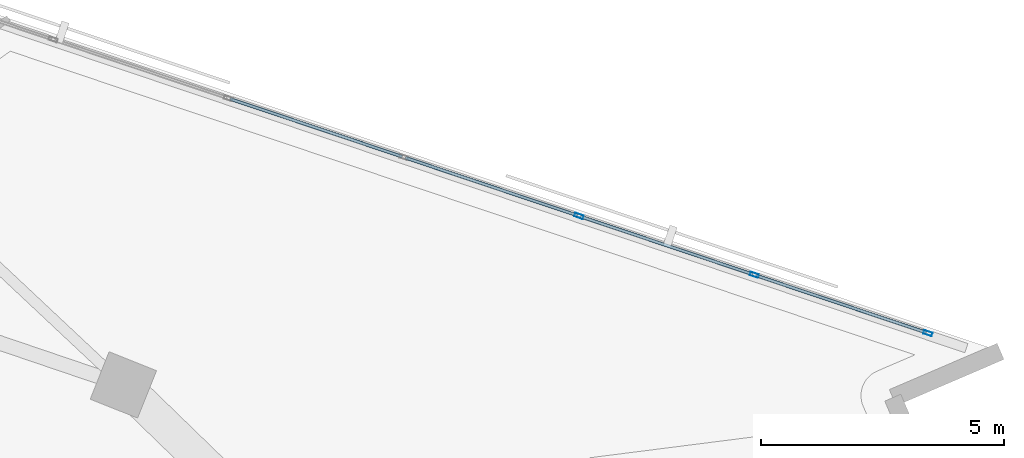
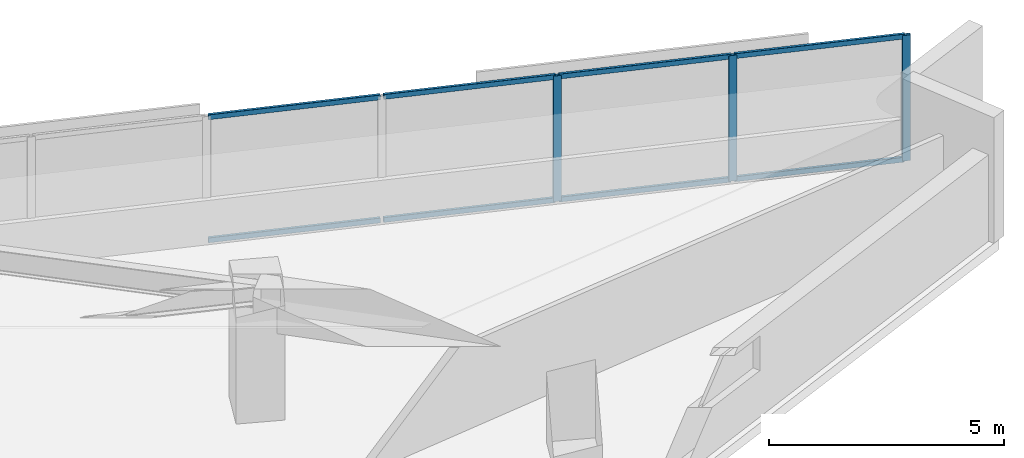
# One storey, part 5 of 14: 11 members, 1 element without a shape of its own.
"""IFC4 building model written with IfcOpenShell, lengths in metres."""

from ifc_helpers import new_model, si_unit, direction, frame, origin, origin_2d, place, context, subcontext, project, spatial, hollow_rectangle, extrude, material, material_profile, profile_set, type_object, element, aggregate, save


model = new_model("IFC4")

# Units and contexts
model_context = context("Model", 3, precision=1e-05, world=origin(), true_north=direction((0.0, 1.0)))
body_context = subcontext(model_context, "Body", "Model", "MODEL_VIEW")
ifc_project = project(units=[si_unit("LENGTHUNIT", "METRE"), si_unit("AREAUNIT", "SQUARE_METRE"), si_unit("VOLUMEUNIT", "CUBIC_METRE"), si_unit("PLANEANGLEUNIT", "RADIAN"), si_unit("MASSUNIT", "GRAM", prefix="KILO")], contexts=[model_context])

# Site, building, storey
site_placement = place(None, origin())
site = spatial("IfcSite", under=ifc_project, at=site_placement, CompositionType="ELEMENT")
building_placement = place(site_placement, origin())
building = spatial("IfcBuilding", under=site, at=building_placement, Name="Narakoshi Arena Tower", CompositionType="ELEMENT")
storey_placement = place(building_placement, frame((0.0, 0.0, 189.659912109375)))
storey = spatial("IfcBuildingStorey", under=building, at=storey_placement, Name="L51", CompositionType="ELEMENT", Elevation=189.659912109375)

# Curtain wall, members
ifc_material = material(Name="Anodised bronze aluminium 6063-T6", Category="aluminium")
curtain_wall_type = type_object("IfcCurtainWallType", Name="CW-HYP-MID", PredefinedType="NOTDEFINED", material=ifc_material)
curtain_wall_placement = place(storey_placement, origin())
curtain_wall = element("IfcCurtainWall", 1, at=curtain_wall_placement, inside=storey, type_object=curtain_wall_type, Name="L51 Folded Hypotenuse Curtain Wall 1-1", PredefinedType="NOTDEFINED")
ifc_material_profile_1 = material_profile(ifc_material, hollow_rectangle(XDim=0.074951171875, YDim=0.179931640625, WallThickness=0.00390625, OuterFilletRadius=0.0048828125, at=origin_2d()), Name="MUL180x75x4")
ifc_profile_set_1 = profile_set([ifc_material_profile_1], Name="Anodised bronze aluminium 6063-T6")
member_type_1 = type_object("IfcMemberType", Name="MEM-MUL-180", PredefinedType="MULLION", material=ifc_profile_set_1)
member_1_placement = place(storey_placement, frame((116.57080078125, 52.6513671875, 0.0), z_axis=(0.0, 0.0, 1.0), x_axis=(-0.318260960253, -0.948003144077, 0.0)))
member_1 = element("IfcMember", 2, at=member_1_placement, type_object=member_type_1, Name="CW-02 mullion 1", PredefinedType="MULLION", context=body_context, shape_type="SweptSolid", body=[
    extrude(hollow_rectangle(XDim=0.074951171875, YDim=0.179931640625, WallThickness=0.00390625, OuterFilletRadius=0.0048828125, at=origin_2d()), origin(), (0.0, 0.0, 1.0), 3.260009765625),
])
member_2_placement = place(storey_placement, frame((112.998779296875, 53.8505859375, 0.0), z_axis=(0.0, 0.0, 1.0), x_axis=(-0.318260960253, -0.948003144077, 0.0)))
member_2 = element("IfcMember", 3, at=member_2_placement, type_object=member_type_1, Name="CW-02 mullion 2", PredefinedType="MULLION", context=body_context, shape_type="SweptSolid", body=[
    extrude(hollow_rectangle(XDim=0.074951171875, YDim=0.179931640625, WallThickness=0.00390625, OuterFilletRadius=0.0048828125, at=origin_2d()), origin(), (0.0, 0.0, 1.0), 3.260009765625),
])
member_3_placement = place(storey_placement, frame((109.39111328125, 55.061767578125, 0.0), z_axis=(0.0, 0.0, 1.0), x_axis=(-0.318260960253, -0.948003144077, 0.0)))
member_3 = element("IfcMember", 4, at=member_3_placement, type_object=member_type_1, Name="CW-02 mullion 3", PredefinedType="MULLION", context=body_context, shape_type="SweptSolid", body=[
    extrude(hollow_rectangle(XDim=0.074951171875, YDim=0.179931640625, WallThickness=0.00390625, OuterFilletRadius=0.0048828125, at=origin_2d()), origin(), (0.0, 0.0, 1.0), 3.260009765625),
])
ifc_material_profile_2 = material_profile(ifc_material, hollow_rectangle(XDim=0.06494140625, YDim=0.1298828125, WallThickness=0.00390625, OuterFilletRadius=0.0048828125, at=origin_2d()), Name="TRN130x65x4")
ifc_profile_set_2 = profile_set([ifc_material_profile_2], Name="Anodised bronze aluminium 6063-T6")
member_type_2 = type_object("IfcMemberType", Name="MEM-TRN-130", PredefinedType="USERDEFINED", material=ifc_profile_set_2)
member_4_placement = place(storey_placement, frame((116.53515625, 52.663330078125, 0.032470703125), z_axis=(-0.948006826737, 0.31824999051, 0.0), x_axis=(-0.31824999051, -0.948006826737, 0.0)))
member_4 = element("IfcMember", 5, at=member_4_placement, type_object=member_type_2, Name="CW-02 transom 1.1", ObjectType="TRANSOM", PredefinedType="USERDEFINED", context=body_context, shape_type="SweptSolid", body=[
    extrude(hollow_rectangle(XDim=0.06494140625, YDim=0.1298828125, WallThickness=0.00390625, OuterFilletRadius=0.0048828125, at=origin_2d()), origin(), (0.0, 0.0, 1.0), 3.69287109375),
])
member_5_placement = place(storey_placement, frame((116.53515625, 52.663330078125, 3.2275390625), z_axis=(-0.948006826737, 0.31824999051, 0.0), x_axis=(-0.31824999051, -0.948006826737, 0.0)))
member_5 = element("IfcMember", 6, at=member_5_placement, type_object=member_type_2, Name="CW-02 transom 1.2", ObjectType="TRANSOM", PredefinedType="USERDEFINED", context=body_context, shape_type="SweptSolid", body=[
    extrude(hollow_rectangle(XDim=0.06494140625, YDim=0.1298828125, WallThickness=0.00390625, OuterFilletRadius=0.0048828125, at=origin_2d()), origin(), (0.0, 0.0, 1.0), 3.69287109375),
])
member_6_placement = place(storey_placement, frame((112.963134765625, 53.862548828125, 0.032470703125), z_axis=(-0.948000451231, 0.318268981314, 0.0), x_axis=(-0.318268981314, -0.948000451231, 0.0)))
member_6 = element("IfcMember", 7, at=member_6_placement, type_object=member_type_2, Name="CW-02 transom 2.1", ObjectType="TRANSOM", PredefinedType="USERDEFINED", context=body_context, shape_type="SweptSolid", body=[
    extrude(hollow_rectangle(XDim=0.06494140625, YDim=0.1298828125, WallThickness=0.00390625, OuterFilletRadius=0.0048828125, at=origin_2d()), origin(), (0.0, 0.0, 1.0), 3.73046875),
])
member_7_placement = place(storey_placement, frame((112.963134765625, 53.862548828125, 3.2275390625), z_axis=(-0.948000451231, 0.318268981314, 0.0), x_axis=(-0.318268981314, -0.948000451231, 0.0)))
member_7 = element("IfcMember", 8, at=member_7_placement, type_object=member_type_2, Name="CW-02 transom 2.2", ObjectType="TRANSOM", PredefinedType="USERDEFINED", context=body_context, shape_type="SweptSolid", body=[
    extrude(hollow_rectangle(XDim=0.06494140625, YDim=0.1298828125, WallThickness=0.00390625, OuterFilletRadius=0.0048828125, at=origin_2d()), origin(), (0.0, 0.0, 1.0), 3.73046875),
])
member_8_placement = place(storey_placement, frame((109.35546875, 55.073486328125, 0.032470703125), z_axis=(-0.948000451231, 0.318268981314, 0.0), x_axis=(-0.318268981314, -0.948000451231, 0.0)))
member_8 = element("IfcMember", 9, at=member_8_placement, type_object=member_type_2, Name="CW-02 transom 3.1", ObjectType="TRANSOM", PredefinedType="USERDEFINED", context=body_context, shape_type="SweptSolid", body=[
    extrude(hollow_rectangle(XDim=0.06494140625, YDim=0.1298828125, WallThickness=0.00390625, OuterFilletRadius=0.0048828125, at=origin_2d()), origin(), (0.0, 0.0, 1.0), 3.73046875),
])
member_9_placement = place(storey_placement, frame((109.35546875, 55.073486328125, 3.2275390625), z_axis=(-0.948000451231, 0.318268981314, 0.0), x_axis=(-0.318268981314, -0.948000451231, 0.0)))
member_9 = element("IfcMember", 10, at=member_9_placement, type_object=member_type_2, Name="CW-02 transom 3.2", ObjectType="TRANSOM", PredefinedType="USERDEFINED", context=body_context, shape_type="SweptSolid", body=[
    extrude(hollow_rectangle(XDim=0.06494140625, YDim=0.1298828125, WallThickness=0.00390625, OuterFilletRadius=0.0048828125, at=origin_2d()), origin(), (0.0, 0.0, 1.0), 3.73046875),
])
member_10_placement = place(storey_placement, frame((105.748046875, 56.28466796875, 0.032470703125), z_axis=(-0.948007080082, 0.318249235844, 0.0), x_axis=(-0.318249235844, -0.948007080082, 0.0)))
member_10 = element("IfcMember", 11, at=member_10_placement, type_object=member_type_2, Name="CW-02 transom 4.1", ObjectType="TRANSOM", PredefinedType="USERDEFINED", context=body_context, shape_type="SweptSolid", body=[
    extrude(hollow_rectangle(XDim=0.06494140625, YDim=0.1298828125, WallThickness=0.00390625, OuterFilletRadius=0.0048828125, at=origin_2d()), origin(), (0.0, 0.0, 1.0), 3.73046875),
])
member_11_placement = place(storey_placement, frame((105.748046875, 56.28466796875, 3.2275390625), z_axis=(-0.948007080082, 0.318249235844, 0.0), x_axis=(-0.318249235844, -0.948007080082, 0.0)))
member_11 = element("IfcMember", 12, at=member_11_placement, type_object=member_type_2, Name="CW-02 transom 4.2", ObjectType="TRANSOM", PredefinedType="USERDEFINED", context=body_context, shape_type="SweptSolid", body=[
    extrude(hollow_rectangle(XDim=0.06494140625, YDim=0.1298828125, WallThickness=0.00390625, OuterFilletRadius=0.0048828125, at=origin_2d()), origin(), (0.0, 0.0, 1.0), 3.73046875),
])
aggregate(curtain_wall, [member_1, member_2, member_3, member_4, member_5, member_6, member_7, member_8, member_9, member_10, member_11])

save(model, "model.ifc")
